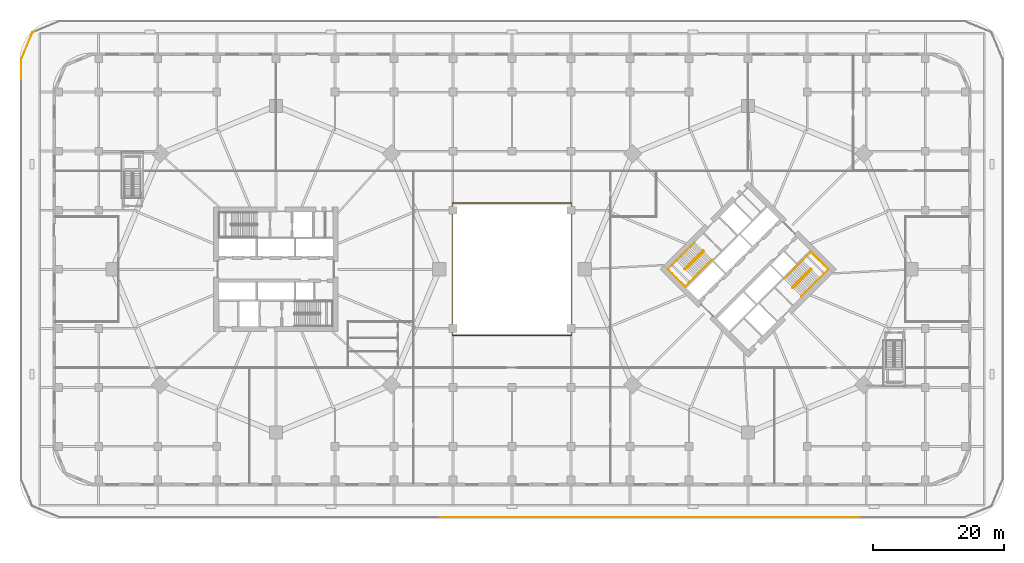
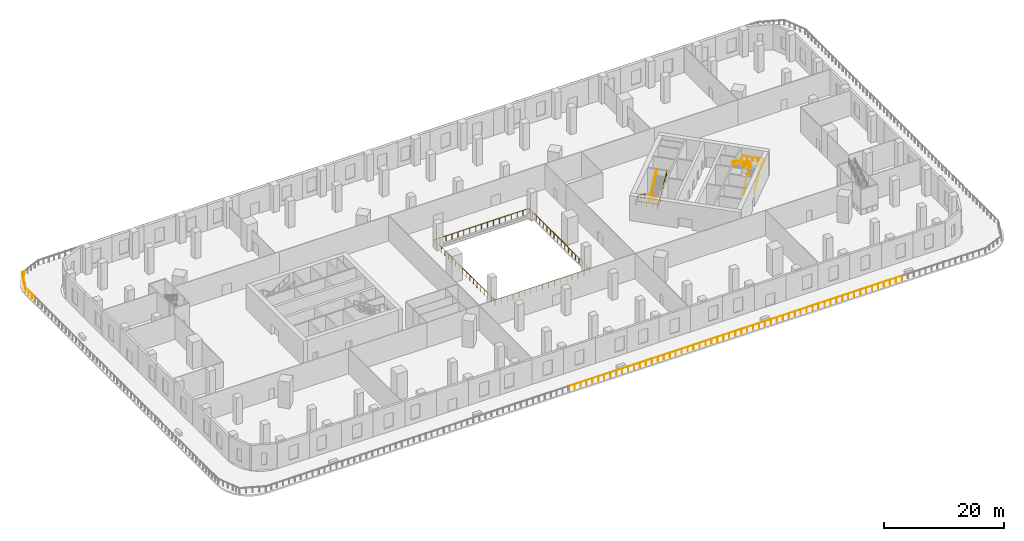
# One storey, part 16 of 20: 14 railings.
"""IFC4 building model written with IfcOpenShell, lengths in metres."""

from ifc_helpers import new_model, si_unit, direction, frame, origin, origin_2d, place, context, subcontext, project, spatial, circle, extrude, material, type_object, element, save


model = new_model("IFC4")

# Units and contexts
model_context = context("Model", 3, precision=1e-05, world=origin(), true_north=direction((0.0, 1.0)))
body_context = subcontext(model_context, "Body", "Model", "MODEL_VIEW")
ifc_project = project(units=[si_unit("LENGTHUNIT", "METRE"), si_unit("AREAUNIT", "SQUARE_METRE"), si_unit("VOLUMEUNIT", "CUBIC_METRE"), si_unit("PLANEANGLEUNIT", "RADIAN"), si_unit("MASSUNIT", "GRAM", prefix="KILO")], contexts=[model_context])

# Site, building, storey
site_placement = place(None, origin())
site = spatial("IfcSite", under=ifc_project, at=site_placement, CompositionType="ELEMENT")
building_placement = place(site_placement, origin())
building = spatial("IfcBuilding", under=site, at=building_placement, Name="Ogive Gate Towers", CompositionType="ELEMENT")
storey_placement = place(building_placement, frame((0.0, 0.0, 7.199951171875)))
storey = spatial("IfcBuildingStorey", under=building, at=storey_placement, Name="L01", CompositionType="ELEMENT", Elevation=7.199951171875)

# Railings
ifc_material_1 = material(Name="Stainless steel", Category="steel")
railing_type_1 = type_object("IfcRailingType", Name="Guard 1100", PredefinedType="GUARDRAIL", material=ifc_material_1)
railing_1_placement = place(storey_placement, frame((-72.69140625, 36.27099609375, 0.0)))
element("IfcRailing", 1, at=railing_1_placement, inside=storey, type_object=railing_type_1, Name="Terrace guard", PredefinedType="GUARDRAIL", context=body_context, shape_type="SweptSolid", body=[
    extrude(circle(Radius=0.02392578125, at=origin_2d()), frame((0.0, 0.0, 1.076171875), z_axis=(-0.923969895502, -0.382465203915, 0.0), x_axis=(0.382465203915, -0.923969895502, 0.0)), (0.0, 0.0, 1.0), 0.443603515625),
    extrude(circle(Radius=0.02392578125, at=origin_2d()), frame((-0.409912109375, -0.169677734375, 1.076171875), z_axis=(-0.382665892976, -0.923886797369, 0.0), x_axis=(0.923886797369, -0.382665892976, 0.0)), (0.0, 0.0, 1.0), 4.439208984375),
    extrude(circle(Radius=0.02392578125, at=origin_2d()), frame((-2.108642578125, -4.27099609375, 1.076171875), z_axis=(0.0, -1.0, 0.0), x_axis=(1.0, 0.0, 0.0)), (0.0, 0.0, 1.0), 3.05859375),
    extrude(circle(Radius=0.02099609375, at=origin_2d()), origin(), (0.0, 0.0, 1.0), 1.052001953125),
    extrude(circle(Radius=0.02099609375, at=origin_2d()), frame((-0.409912109375, -0.169677734375, 0.0)), (0.0, 0.0, 1.0), 1.052001953125),
    extrude(circle(Radius=0.02099609375, at=origin_2d()), frame((-0.83447265625, -1.195068359375, 0.0)), (0.0, 0.0, 1.0), 1.052001953125),
    extrude(circle(Radius=0.02099609375, at=origin_2d()), frame((-1.25927734375, -2.22021484375, 0.0)), (0.0, 0.0, 1.0), 1.052001953125),
    extrude(circle(Radius=0.02099609375, at=origin_2d()), frame((-1.68408203125, -3.24560546875, 0.0)), (0.0, 0.0, 1.0), 1.052001953125),
    extrude(circle(Radius=0.02099609375, at=origin_2d()), frame((-2.108642578125, -4.27099609375, 0.0)), (0.0, 0.0, 1.0), 1.052001953125),
    extrude(circle(Radius=0.02099609375, at=origin_2d()), frame((-2.108642578125, -5.29052734375, 0.0)), (0.0, 0.0, 1.0), 1.052001953125),
    extrude(circle(Radius=0.02099609375, at=origin_2d()), frame((-2.108642578125, -6.31005859375, 0.0)), (0.0, 0.0, 1.0), 1.052001953125),
    extrude(circle(Radius=0.02099609375, at=origin_2d()), frame((-2.108642578125, -7.32958984375, 0.0)), (0.0, 0.0, 1.0), 1.052001953125),
])
for number, where, name in (
    (2, (-10.911376953125, -37.800048828125, 0.0), "Terrace guard"),
    (3, (-2.92041015625, -37.800048828125, 0.0), "Terrace guard"),
    (4, (5.07080078125, -37.800048828125, 0.0), "Terrace guard"),
    (5, (13.06201171875, -37.800048828125, 0.0), "Terrace guard"),
):
    element("IfcRailing", number, at=place(storey_placement, frame(where)), inside=storey, type_object=railing_type_1, Name=name, PredefinedType="GUARDRAIL", context=body_context, shape_type="SweptSolid", body=[
        extrude(circle(Radius=0.02392578125, at=origin_2d()), frame((0.0, 0.0, 1.076171875), z_axis=(1.0, 0.0, 0.0), x_axis=(0.0, 1.0, 0.0)), (0.0, 0.0, 1.0), 7.941162109375),
        extrude(circle(Radius=0.02099609375, at=origin_2d()), origin(), (0.0, 0.0, 1.0), 1.052001953125),
        extrude(circle(Radius=0.02099609375, at=origin_2d()), frame((1.134521484375, 0.0, 0.0)), (0.0, 0.0, 1.0), 1.052001953125),
        extrude(circle(Radius=0.02099609375, at=origin_2d()), frame((2.268798828125, 0.0, 0.0)), (0.0, 0.0, 1.0), 1.052001953125),
        extrude(circle(Radius=0.02099609375, at=origin_2d()), frame((3.4033203125, 0.0, 0.0)), (0.0, 0.0, 1.0), 1.052001953125),
        extrude(circle(Radius=0.02099609375, at=origin_2d()), frame((4.537841796875, 0.0, 0.0)), (0.0, 0.0, 1.0), 1.052001953125),
        extrude(circle(Radius=0.02099609375, at=origin_2d()), frame((5.67236328125, 0.0, 0.0)), (0.0, 0.0, 1.0), 1.052001953125),
        extrude(circle(Radius=0.02099609375, at=origin_2d()), frame((6.806640625, 0.0, 0.0)), (0.0, 0.0, 1.0), 1.052001953125),
        extrude(circle(Radius=0.02099609375, at=origin_2d()), frame((7.941162109375, 0.0, 0.0)), (0.0, 0.0, 1.0), 1.052001953125),
    ])
railing_2_placement = place(storey_placement, frame((21.052978515625, -37.800048828125, 0.0)))
element("IfcRailing", 6, at=railing_2_placement, inside=storey, type_object=railing_type_1, Name="Terrace guard", PredefinedType="GUARDRAIL", context=body_context, shape_type="SweptSolid", body=[
    extrude(circle(Radius=0.02392578125, at=origin_2d()), frame((0.0, 0.0, 1.076171875), z_axis=(1.0, 0.0, 0.0), x_axis=(0.0, 1.0, 0.0)), (0.0, 0.0, 1.0), 7.94140625),
    extrude(circle(Radius=0.02099609375, at=origin_2d()), origin(), (0.0, 0.0, 1.0), 1.052001953125),
    extrude(circle(Radius=0.02099609375, at=origin_2d()), frame((1.134521484375, 0.0, 0.0)), (0.0, 0.0, 1.0), 1.052001953125),
    extrude(circle(Radius=0.02099609375, at=origin_2d()), frame((2.26904296875, 0.0, 0.0)), (0.0, 0.0, 1.0), 1.052001953125),
    extrude(circle(Radius=0.02099609375, at=origin_2d()), frame((3.403564453125, 0.0, 0.0)), (0.0, 0.0, 1.0), 1.052001953125),
    extrude(circle(Radius=0.02099609375, at=origin_2d()), frame((4.537841796875, 0.0, 0.0)), (0.0, 0.0, 1.0), 1.052001953125),
    extrude(circle(Radius=0.02099609375, at=origin_2d()), frame((5.67236328125, 0.0, 0.0)), (0.0, 0.0, 1.0), 1.052001953125),
    extrude(circle(Radius=0.02099609375, at=origin_2d()), frame((6.806884765625, 0.0, 0.0)), (0.0, 0.0, 1.0), 1.052001953125),
    extrude(circle(Radius=0.02099609375, at=origin_2d()), frame((7.94140625, 0.0, 0.0)), (0.0, 0.0, 1.0), 1.052001953125),
])
for number, where, name in (
    (7, (29.044189453125, -37.800048828125, 0.0), "Terrace guard"),
    (8, (37.035400390625, -37.800048828125, 0.0), "Terrace guard"),
    (9, (45.026611328125, -37.800048828125, 0.0), "Terrace guard"),
):
    element("IfcRailing", number, at=place(storey_placement, frame(where)), inside=storey, type_object=railing_type_1, Name=name, PredefinedType="GUARDRAIL", context=body_context, shape_type="SweptSolid", body=[
        extrude(circle(Radius=0.02392578125, at=origin_2d()), frame((0.0, 0.0, 1.076171875), z_axis=(1.0, 0.0, 0.0), x_axis=(0.0, 1.0, 0.0)), (0.0, 0.0, 1.0), 7.941162109375),
        extrude(circle(Radius=0.02099609375, at=origin_2d()), origin(), (0.0, 0.0, 1.0), 1.052001953125),
        extrude(circle(Radius=0.02099609375, at=origin_2d()), frame((1.134521484375, 0.0, 0.0)), (0.0, 0.0, 1.0), 1.052001953125),
        extrude(circle(Radius=0.02099609375, at=origin_2d()), frame((2.268798828125, 0.0, 0.0)), (0.0, 0.0, 1.0), 1.052001953125),
        extrude(circle(Radius=0.02099609375, at=origin_2d()), frame((3.4033203125, 0.0, 0.0)), (0.0, 0.0, 1.0), 1.052001953125),
        extrude(circle(Radius=0.02099609375, at=origin_2d()), frame((4.537841796875, 0.0, 0.0)), (0.0, 0.0, 1.0), 1.052001953125),
        extrude(circle(Radius=0.02099609375, at=origin_2d()), frame((5.67236328125, 0.0, 0.0)), (0.0, 0.0, 1.0), 1.052001953125),
        extrude(circle(Radius=0.02099609375, at=origin_2d()), frame((6.806640625, 0.0, 0.0)), (0.0, 0.0, 1.0), 1.052001953125),
        extrude(circle(Radius=0.02099609375, at=origin_2d()), frame((7.941162109375, 0.0, 0.0)), (0.0, 0.0, 1.0), 1.052001953125),
    ])
railing_type_2 = type_object("IfcRailingType", Name="Stair guard 1100", PredefinedType="GUARDRAIL", material=ifc_material_1)
railing_3_placement = place(storey_placement, frame((29.15869140625, 2.8603515625, 0.0)))
element("IfcRailing", 10, at=railing_3_placement, inside=storey, type_object=railing_type_2, Name="L01 ST1 stair guard 1", PredefinedType="GUARDRAIL", context=body_context, shape_type="SweptSolid", body=[
    extrude(circle(Radius=0.02392578125, at=origin_2d()), frame((0.0, 0.0, 1.076171875), z_axis=(0.707106781187, -0.707106781187, 0.0), x_axis=(0.707106781187, 0.707106781187, 0.0)), (0.0, 0.0, 1.0), 0.14501953125),
    extrude(circle(Radius=0.02392578125, at=origin_2d()), frame((0.1025390625, -0.1025390625, 1.076171875), z_axis=(-0.641307342375, 0.379899977147, 0.666634007518), x_axis=(-0.509669330572, -0.860370369942, 0.0)), (0.0, 0.0, 1.0), 0.27001953125),
    extrude(circle(Radius=0.02392578125, at=origin_2d()), frame((-0.070556640625, 0.0, 1.255859375), z_axis=(-0.594808813858, -0.594808813858, 0.540744810344), x_axis=(0.707106781187, -0.707106781187, 0.0)), (0.0, 0.0, 1.0), 4.66015625),
    extrude(circle(Radius=0.02392578125, at=origin_2d()), frame((-2.842529296875, -2.77197265625, 3.77587890625), z_axis=(0.0, -1.0, 0.0), x_axis=(1.0, 0.0, 0.0)), (0.0, 0.0, 1.0), 0.07080078125),
    extrude(circle(Radius=0.02392578125, at=origin_2d()), frame((-2.842529296875, -2.8427734375, 3.77587890625), z_axis=(0.707106781187, -0.707106781187, 0.0), x_axis=(0.707106781187, 0.707106781187, 0.0)), (0.0, 0.0, 1.0), 0.14501953125),
    extrude(circle(Radius=0.02392578125, at=origin_2d()), frame((-2.739990234375, -2.9453125, 3.77587890625), z_axis=(0.365730408489, 0.0, 0.930720832638), x_axis=(0.0, 1.0, 0.0)), (0.0, 0.0, 1.0), 0.193603515625),
    extrude(circle(Radius=0.02392578125, at=origin_2d()), frame((-2.669189453125, -2.9453125, 3.9560546875), z_axis=(0.594774959279, 0.594827348511, 0.540761660325), x_axis=(-0.707137920976, 0.707075640025, 0.0)), (0.0, 0.0, 1.0), 4.66015625),
    extrude(circle(Radius=0.02099609375, at=origin_2d()), origin(), (0.0, 0.0, 1.0), 1.052001953125),
    extrude(circle(Radius=0.02099609375, at=origin_2d()), frame((0.1025390625, -0.1025390625, 0.0)), (0.0, 0.0, 1.0), 1.052001953125),
    extrude(circle(Radius=0.02099609375, at=origin_2d()), frame((-0.070556640625, 0.0, 0.179931640625)), (0.0, 0.0, 1.0), 1.052001953125),
    extrude(circle(Radius=0.02099609375, at=origin_2d()), frame((-0.763671875, -0.69287109375, 0.81005859375)), (0.0, 0.0, 1.0), 1.052001953125),
    extrude(circle(Radius=0.02099609375, at=origin_2d()), frame((-1.45654296875, -1.385986328125, 1.43994140625)), (0.0, 0.0, 1.0), 1.052001953125),
    extrude(circle(Radius=0.02099609375, at=origin_2d()), frame((-2.1494140625, -2.0791015625, 2.06982421875)), (0.0, 0.0, 1.0), 1.052001953125),
    extrude(circle(Radius=0.02099609375, at=origin_2d()), frame((-2.842529296875, -2.77197265625, 2.699951171875)), (0.0, 0.0, 1.0), 1.052001953125),
    extrude(circle(Radius=0.02099609375, at=origin_2d()), frame((-2.842529296875, -2.8427734375, 2.699951171875)), (0.0, 0.0, 1.0), 1.052001953125),
    extrude(circle(Radius=0.02099609375, at=origin_2d()), frame((-2.739990234375, -2.9453125, 2.699951171875)), (0.0, 0.0, 1.0), 1.052001953125),
    extrude(circle(Radius=0.02099609375, at=origin_2d()), frame((-2.669189453125, -2.9453125, 2.880126953125)), (0.0, 0.0, 1.0), 1.052001953125),
    extrude(circle(Radius=0.02099609375, at=origin_2d()), frame((-1.976318359375, -2.25244140625, 3.51025390625)), (0.0, 0.0, 1.0), 1.052001953125),
    extrude(circle(Radius=0.02099609375, at=origin_2d()), frame((-1.283203125, -1.559326171875, 4.14013671875)), (0.0, 0.0, 1.0), 1.052001953125),
    extrude(circle(Radius=0.02099609375, at=origin_2d()), frame((-0.59033203125, -0.8662109375, 4.77001953125)), (0.0, 0.0, 1.0), 1.052001953125),
    extrude(circle(Radius=0.02099609375, at=origin_2d()), frame((0.1025390625, -0.17333984375, 5.400146484375)), (0.0, 0.0, 1.0), 1.052001953125),
])
railing_4_placement = place(storey_placement, frame((42.84130859375, -2.8603515625, 0.0)))
element("IfcRailing", 11, at=railing_4_placement, inside=storey, type_object=railing_type_2, Name="L01 ST2 stair guard 1", PredefinedType="GUARDRAIL", context=body_context, shape_type="SweptSolid", body=[
    extrude(circle(Radius=0.02392578125, at=origin_2d()), frame((0.0, 0.0, 1.076171875), z_axis=(-0.707106781187, 0.707106781187, 0.0), x_axis=(-0.707106781187, -0.707106781187, 0.0)), (0.0, 0.0, 1.0), 0.14501953125),
    extrude(circle(Radius=0.02392578125, at=origin_2d()), frame((-0.1025390625, 0.1025390625, 1.076171875), z_axis=(0.641307342375, -0.379899977147, 0.666634007518), x_axis=(0.509669330572, 0.860370369942, 0.0)), (0.0, 0.0, 1.0), 0.27001953125),
    extrude(circle(Radius=0.02392578125, at=origin_2d()), frame((0.070556640625, 0.0, 1.255859375), z_axis=(0.594808813858, 0.594808813858, 0.540744810344), x_axis=(-0.707106781187, 0.707106781187, 0.0)), (0.0, 0.0, 1.0), 4.66015625),
    extrude(circle(Radius=0.02392578125, at=origin_2d()), frame((2.842529296875, 2.77197265625, 3.77587890625), z_axis=(0.0, 1.0, 0.0), x_axis=(-1.0, 0.0, 0.0)), (0.0, 0.0, 1.0), 0.07080078125),
    extrude(circle(Radius=0.02392578125, at=origin_2d()), frame((2.842529296875, 2.8427734375, 3.77587890625), z_axis=(-0.707106781187, 0.707106781187, 0.0), x_axis=(-0.707106781187, -0.707106781187, 0.0)), (0.0, 0.0, 1.0), 0.14501953125),
    extrude(circle(Radius=0.02392578125, at=origin_2d()), frame((2.739990234375, 2.9453125, 3.77587890625), z_axis=(-0.365730408489, 0.0, 0.930720832638), x_axis=(0.0, -1.0, 0.0)), (0.0, 0.0, 1.0), 0.193603515625),
    extrude(circle(Radius=0.02392578125, at=origin_2d()), frame((2.669189453125, 2.9453125, 3.9560546875), z_axis=(-0.594774959279, -0.594827348511, 0.540761660325), x_axis=(0.707137920976, -0.707075640025, 0.0)), (0.0, 0.0, 1.0), 4.66015625),
    extrude(circle(Radius=0.02099609375, at=origin_2d()), origin(), (0.0, 0.0, 1.0), 1.052001953125),
    extrude(circle(Radius=0.02099609375, at=origin_2d()), frame((-0.1025390625, 0.1025390625, 0.0)), (0.0, 0.0, 1.0), 1.052001953125),
    extrude(circle(Radius=0.02099609375, at=origin_2d()), frame((0.070556640625, 0.0, 0.179931640625)), (0.0, 0.0, 1.0), 1.052001953125),
    extrude(circle(Radius=0.02099609375, at=origin_2d()), frame((0.763671875, 0.69287109375, 0.81005859375)), (0.0, 0.0, 1.0), 1.052001953125),
    extrude(circle(Radius=0.02099609375, at=origin_2d()), frame((1.45654296875, 1.385986328125, 1.43994140625)), (0.0, 0.0, 1.0), 1.052001953125),
    extrude(circle(Radius=0.02099609375, at=origin_2d()), frame((2.1494140625, 2.0791015625, 2.06982421875)), (0.0, 0.0, 1.0), 1.052001953125),
    extrude(circle(Radius=0.02099609375, at=origin_2d()), frame((2.842529296875, 2.77197265625, 2.699951171875)), (0.0, 0.0, 1.0), 1.052001953125),
    extrude(circle(Radius=0.02099609375, at=origin_2d()), frame((2.842529296875, 2.8427734375, 2.699951171875)), (0.0, 0.0, 1.0), 1.052001953125),
    extrude(circle(Radius=0.02099609375, at=origin_2d()), frame((2.739990234375, 2.9453125, 2.699951171875)), (0.0, 0.0, 1.0), 1.052001953125),
    extrude(circle(Radius=0.02099609375, at=origin_2d()), frame((2.669189453125, 2.9453125, 2.880126953125)), (0.0, 0.0, 1.0), 1.052001953125),
    extrude(circle(Radius=0.02099609375, at=origin_2d()), frame((1.976318359375, 2.25244140625, 3.51025390625)), (0.0, 0.0, 1.0), 1.052001953125),
    extrude(circle(Radius=0.02099609375, at=origin_2d()), frame((1.283203125, 1.559326171875, 4.14013671875)), (0.0, 0.0, 1.0), 1.052001953125),
    extrude(circle(Radius=0.02099609375, at=origin_2d()), frame((0.59033203125, 0.8662109375, 4.77001953125)), (0.0, 0.0, 1.0), 1.052001953125),
    extrude(circle(Radius=0.02099609375, at=origin_2d()), frame((-0.1025390625, 0.17333984375, 5.400146484375)), (0.0, 0.0, 1.0), 1.052001953125),
])
railing_type_3 = type_object("IfcRailingType", Name="Stair handrail 900", PredefinedType="HANDRAIL", material=ifc_material_1)
railing_5_placement = place(storey_placement, frame((27.857666015625, 4.090576171875, 0.179931640625)))
element("IfcRailing", 12, at=railing_5_placement, inside=storey, type_object=railing_type_3, Name="L01 ST1 stair handrail 1", PredefinedType="HANDRAIL", context=body_context, shape_type="SweptSolid", body=[
    extrude(circle(Radius=0.02392578125, at=origin_2d()), frame((0.0, 0.0, 0.8759765625), z_axis=(-0.594827348511, -0.594774959279, 0.540761660325), x_axis=(0.707075640025, -0.707137920976, 0.0)), (0.0, 0.0, 1.0), 4.66015625),
    extrude(circle(Radius=0.02392578125, at=origin_2d()), frame((-2.77197265625, -2.771728515625, 3.39599609375), z_axis=(-0.707041323489, -0.707172232825, 0.0), x_axis=(0.707172232825, -0.707041323489, 0.0)), (0.0, 0.0, 1.0), 1.864990234375),
    extrude(circle(Radius=0.02392578125, at=origin_2d()), frame((-4.090576171875, -4.090576171875, 3.39599609375), z_axis=(0.707106781187, -0.707106781187, 0.0), x_axis=(0.707106781187, 0.707106781187, 0.0)), (0.0, 0.0, 1.0), 3.72509765625),
    extrude(circle(Radius=0.02392578125, at=origin_2d()), frame((-1.45654296875, -6.724609375, 3.39599609375), z_axis=(0.703764587039, 0.703894889684, 0.0961633522), x_axis=(-0.707172232825, 0.707041323489, 0.0)), (0.0, 0.0, 1.0), 1.87353515625),
    extrude(circle(Radius=0.02392578125, at=origin_2d()), frame((-0.137939453125, -5.40576171875, 3.576171875), z_axis=(0.594827348511, 0.594774959279, 0.540761660325), x_axis=(-0.707075640025, 0.707137920976, 0.0)), (0.0, 0.0, 1.0), 4.66015625),
    extrude(circle(Radius=0.02099609375, at=origin_2d()), origin(), (0.0, 0.0, 1.0), 0.851806640625),
    extrude(circle(Radius=0.02099609375, at=origin_2d()), frame((-0.69287109375, -0.69287109375, 0.6298828125)), (0.0, 0.0, 1.0), 0.851806640625),
    extrude(circle(Radius=0.02099609375, at=origin_2d()), frame((-1.385986328125, -1.3857421875, 1.260009765625)), (0.0, 0.0, 1.0), 0.851806640625),
    extrude(circle(Radius=0.02099609375, at=origin_2d()), frame((-2.0791015625, -2.078857421875, 1.89013671875)), (0.0, 0.0, 1.0), 0.851806640625),
    extrude(circle(Radius=0.02099609375, at=origin_2d()), frame((-2.77197265625, -2.771728515625, 2.52001953125)), (0.0, 0.0, 1.0), 0.851806640625),
    extrude(circle(Radius=0.02099609375, at=origin_2d()), frame((-3.43115234375, -3.43115234375, 2.52001953125)), (0.0, 0.0, 1.0), 0.851806640625),
    extrude(circle(Radius=0.02099609375, at=origin_2d()), frame((-4.090576171875, -4.090576171875, 2.52001953125)), (0.0, 0.0, 1.0), 0.851806640625),
    extrude(circle(Radius=0.02099609375, at=origin_2d()), frame((-3.43212890625, -4.7490234375, 2.52001953125)), (0.0, 0.0, 1.0), 0.851806640625),
    extrude(circle(Radius=0.02099609375, at=origin_2d()), frame((-2.7734375, -5.40771484375, 2.52001953125)), (0.0, 0.0, 1.0), 0.851806640625),
    extrude(circle(Radius=0.02099609375, at=origin_2d()), frame((-2.114990234375, -6.066162109375, 2.52001953125)), (0.0, 0.0, 1.0), 0.851806640625),
    extrude(circle(Radius=0.02099609375, at=origin_2d()), frame((-1.45654296875, -6.724609375, 2.52001953125)), (0.0, 0.0, 1.0), 0.851806640625),
    extrude(circle(Radius=0.02099609375, at=origin_2d()), frame((-0.79736328125, -6.065185546875, 2.610107421875)), (0.0, 0.0, 1.0), 0.851806640625),
    extrude(circle(Radius=0.02099609375, at=origin_2d()), frame((-0.137939453125, -5.40576171875, 2.7001953125)), (0.0, 0.0, 1.0), 0.851806640625),
    extrude(circle(Radius=0.02099609375, at=origin_2d()), frame((0.55517578125, -4.712890625, 3.330078125)), (0.0, 0.0, 1.0), 0.851806640625),
    extrude(circle(Radius=0.02099609375, at=origin_2d()), frame((1.248046875, -4.02001953125, 3.960205078125)), (0.0, 0.0, 1.0), 0.851806640625),
    extrude(circle(Radius=0.02099609375, at=origin_2d()), frame((1.94091796875, -3.326904296875, 4.59033203125)), (0.0, 0.0, 1.0), 0.851806640625),
    extrude(circle(Radius=0.02099609375, at=origin_2d()), frame((2.634033203125, -2.634033203125, 5.22021484375)), (0.0, 0.0, 1.0), 0.851806640625),
])
railing_6_placement = place(storey_placement, frame((44.142333984375, -4.090576171875, 0.179931640625)))
element("IfcRailing", 13, at=railing_6_placement, inside=storey, type_object=railing_type_3, Name="L01 ST2 stair handrail 1", PredefinedType="HANDRAIL", context=body_context, shape_type="SweptSolid", body=[
    extrude(circle(Radius=0.02392578125, at=origin_2d()), frame((0.0, 0.0, 0.8759765625), z_axis=(0.594827348511, 0.594774959279, 0.540761660325), x_axis=(-0.707075640025, 0.707137920976, 0.0)), (0.0, 0.0, 1.0), 4.66015625),
    extrude(circle(Radius=0.02392578125, at=origin_2d()), frame((2.77197265625, 2.771728515625, 3.39599609375), z_axis=(0.707041323489, 0.707172232825, 0.0), x_axis=(-0.707172232825, 0.707041323489, 0.0)), (0.0, 0.0, 1.0), 1.864990234375),
    extrude(circle(Radius=0.02392578125, at=origin_2d()), frame((4.090576171875, 4.090576171875, 3.39599609375), z_axis=(-0.707106781187, 0.707106781187, 0.0), x_axis=(-0.707106781187, -0.707106781187, 0.0)), (0.0, 0.0, 1.0), 3.72509765625),
    extrude(circle(Radius=0.02392578125, at=origin_2d()), frame((1.45654296875, 6.724609375, 3.39599609375), z_axis=(-0.703764587039, -0.703894889684, 0.0961633522), x_axis=(0.707172232825, -0.707041323489, 0.0)), (0.0, 0.0, 1.0), 1.87353515625),
    extrude(circle(Radius=0.02392578125, at=origin_2d()), frame((0.137939453125, 5.40576171875, 3.576171875), z_axis=(-0.594827348511, -0.594774959279, 0.540761660325), x_axis=(0.707075640025, -0.707137920976, 0.0)), (0.0, 0.0, 1.0), 4.66015625),
    extrude(circle(Radius=0.02099609375, at=origin_2d()), origin(), (0.0, 0.0, 1.0), 0.851806640625),
    extrude(circle(Radius=0.02099609375, at=origin_2d()), frame((0.69287109375, 0.69287109375, 0.6298828125)), (0.0, 0.0, 1.0), 0.851806640625),
    extrude(circle(Radius=0.02099609375, at=origin_2d()), frame((1.385986328125, 1.3857421875, 1.260009765625)), (0.0, 0.0, 1.0), 0.851806640625),
    extrude(circle(Radius=0.02099609375, at=origin_2d()), frame((2.0791015625, 2.078857421875, 1.89013671875)), (0.0, 0.0, 1.0), 0.851806640625),
    extrude(circle(Radius=0.02099609375, at=origin_2d()), frame((2.77197265625, 2.771728515625, 2.52001953125)), (0.0, 0.0, 1.0), 0.851806640625),
    extrude(circle(Radius=0.02099609375, at=origin_2d()), frame((3.43115234375, 3.43115234375, 2.52001953125)), (0.0, 0.0, 1.0), 0.851806640625),
    extrude(circle(Radius=0.02099609375, at=origin_2d()), frame((4.090576171875, 4.090576171875, 2.52001953125)), (0.0, 0.0, 1.0), 0.851806640625),
    extrude(circle(Radius=0.02099609375, at=origin_2d()), frame((3.43212890625, 4.7490234375, 2.52001953125)), (0.0, 0.0, 1.0), 0.851806640625),
    extrude(circle(Radius=0.02099609375, at=origin_2d()), frame((2.7734375, 5.40771484375, 2.52001953125)), (0.0, 0.0, 1.0), 0.851806640625),
    extrude(circle(Radius=0.02099609375, at=origin_2d()), frame((2.114990234375, 6.066162109375, 2.52001953125)), (0.0, 0.0, 1.0), 0.851806640625),
    extrude(circle(Radius=0.02099609375, at=origin_2d()), frame((1.45654296875, 6.724609375, 2.52001953125)), (0.0, 0.0, 1.0), 0.851806640625),
    extrude(circle(Radius=0.02099609375, at=origin_2d()), frame((0.79736328125, 6.065185546875, 2.610107421875)), (0.0, 0.0, 1.0), 0.851806640625),
    extrude(circle(Radius=0.02099609375, at=origin_2d()), frame((0.137939453125, 5.40576171875, 2.7001953125)), (0.0, 0.0, 1.0), 0.851806640625),
    extrude(circle(Radius=0.02099609375, at=origin_2d()), frame((-0.55517578125, 4.712890625, 3.330078125)), (0.0, 0.0, 1.0), 0.851806640625),
    extrude(circle(Radius=0.02099609375, at=origin_2d()), frame((-1.248046875, 4.02001953125, 3.960205078125)), (0.0, 0.0, 1.0), 0.851806640625),
    extrude(circle(Radius=0.02099609375, at=origin_2d()), frame((-1.94091796875, 3.326904296875, 4.59033203125)), (0.0, 0.0, 1.0), 0.851806640625),
    extrude(circle(Radius=0.02099609375, at=origin_2d()), frame((-2.634033203125, 2.634033203125, 5.22021484375)), (0.0, 0.0, 1.0), 0.851806640625),
])
ifc_material_2 = material(Name="Steel and glass guard", Category="steel")
railing_type_4 = type_object("IfcRailingType", Name="Void guard 1100", PredefinedType="GUARDRAIL", material=ifc_material_2)
railing_7_placement = place(storey_placement, frame((-9.10009765625, -10.10009765625, 0.0)))
element("IfcRailing", 14, at=railing_7_placement, inside=storey, type_object=railing_type_4, Name="L01 nave guard", PredefinedType="GUARDRAIL", context=body_context, shape_type="SweptSolid", body=[
    extrude(circle(Radius=0.02392578125, at=origin_2d()), frame((0.0, 0.0, 1.076171875), z_axis=(0.0, 1.0, 0.0), x_axis=(-1.0, 0.0, 0.0)), (0.0, 0.0, 1.0), 20.2001953125),
    extrude(circle(Radius=0.02392578125, at=origin_2d()), frame((0.0, 20.2001953125, 1.076171875), z_axis=(1.0, 0.0, 0.0), x_axis=(0.0, 1.0, 0.0)), (0.0, 0.0, 1.0), 18.2001953125),
    extrude(circle(Radius=0.02392578125, at=origin_2d()), frame((18.2001953125, 20.2001953125, 1.076171875), z_axis=(0.0, -1.0, 0.0), x_axis=(1.0, 0.0, 0.0)), (0.0, 0.0, 1.0), 20.2001953125),
    extrude(circle(Radius=0.02392578125, at=origin_2d()), frame((18.2001953125, 0.0, 1.076171875), z_axis=(-1.0, 0.0, 0.0), x_axis=(0.0, -1.0, 0.0)), (0.0, 0.0, 1.0), 18.130126953125),
    extrude(circle(Radius=0.02099609375, at=origin_2d()), origin(), (0.0, 0.0, 1.0), 1.052001953125),
    extrude(circle(Radius=0.02099609375, at=origin_2d()), frame((0.0, 1.188232421875, 0.0)), (0.0, 0.0, 1.0), 1.052001953125),
    extrude(circle(Radius=0.02099609375, at=origin_2d()), frame((0.0, 2.37646484375, 0.0)), (0.0, 0.0, 1.0), 1.052001953125),
    extrude(circle(Radius=0.02099609375, at=origin_2d()), frame((0.0, 3.564697265625, 0.0)), (0.0, 0.0, 1.0), 1.052001953125),
    extrude(circle(Radius=0.02099609375, at=origin_2d()), frame((0.0, 4.7529296875, 0.0)), (0.0, 0.0, 1.0), 1.052001953125),
    extrude(circle(Radius=0.02099609375, at=origin_2d()), frame((0.0, 5.941162109375, 0.0)), (0.0, 0.0, 1.0), 1.052001953125),
    extrude(circle(Radius=0.02099609375, at=origin_2d()), frame((0.0, 7.12939453125, 0.0)), (0.0, 0.0, 1.0), 1.052001953125),
    extrude(circle(Radius=0.02099609375, at=origin_2d()), frame((0.0, 8.317626953125, 0.0)), (0.0, 0.0, 1.0), 1.052001953125),
    extrude(circle(Radius=0.02099609375, at=origin_2d()), frame((0.0, 9.505859375, 0.0)), (0.0, 0.0, 1.0), 1.052001953125),
    extrude(circle(Radius=0.02099609375, at=origin_2d()), frame((0.0, 10.6943359375, 0.0)), (0.0, 0.0, 1.0), 1.052001953125),
    extrude(circle(Radius=0.02099609375, at=origin_2d()), frame((0.0, 11.882568359375, 0.0)), (0.0, 0.0, 1.0), 1.052001953125),
    extrude(circle(Radius=0.02099609375, at=origin_2d()), frame((0.0, 13.07080078125, 0.0)), (0.0, 0.0, 1.0), 1.052001953125),
    extrude(circle(Radius=0.02099609375, at=origin_2d()), frame((0.0, 14.259033203125, 0.0)), (0.0, 0.0, 1.0), 1.052001953125),
    extrude(circle(Radius=0.02099609375, at=origin_2d()), frame((0.0, 15.447265625, 0.0)), (0.0, 0.0, 1.0), 1.052001953125),
    extrude(circle(Radius=0.02099609375, at=origin_2d()), frame((0.0, 16.635498046875, 0.0)), (0.0, 0.0, 1.0), 1.052001953125),
    extrude(circle(Radius=0.02099609375, at=origin_2d()), frame((0.0, 17.82373046875, 0.0)), (0.0, 0.0, 1.0), 1.052001953125),
    extrude(circle(Radius=0.02099609375, at=origin_2d()), frame((0.0, 19.011962890625, 0.0)), (0.0, 0.0, 1.0), 1.052001953125),
    extrude(circle(Radius=0.02099609375, at=origin_2d()), frame((0.0, 20.2001953125, 0.0)), (0.0, 0.0, 1.0), 1.052001953125),
    extrude(circle(Radius=0.02099609375, at=origin_2d()), frame((1.137451171875, 20.2001953125, 0.0)), (0.0, 0.0, 1.0), 1.052001953125),
    extrude(circle(Radius=0.02099609375, at=origin_2d()), frame((2.27490234375, 20.2001953125, 0.0)), (0.0, 0.0, 1.0), 1.052001953125),
    extrude(circle(Radius=0.02099609375, at=origin_2d()), frame((3.41259765625, 20.2001953125, 0.0)), (0.0, 0.0, 1.0), 1.052001953125),
    extrude(circle(Radius=0.02099609375, at=origin_2d()), frame((4.550048828125, 20.2001953125, 0.0)), (0.0, 0.0, 1.0), 1.052001953125),
    extrude(circle(Radius=0.02099609375, at=origin_2d()), frame((5.6875, 20.2001953125, 0.0)), (0.0, 0.0, 1.0), 1.052001953125),
    extrude(circle(Radius=0.02099609375, at=origin_2d()), frame((6.8251953125, 20.2001953125, 0.0)), (0.0, 0.0, 1.0), 1.052001953125),
    extrude(circle(Radius=0.02099609375, at=origin_2d()), frame((7.962646484375, 20.2001953125, 0.0)), (0.0, 0.0, 1.0), 1.052001953125),
    extrude(circle(Radius=0.02099609375, at=origin_2d()), frame((9.10009765625, 20.2001953125, 0.0)), (0.0, 0.0, 1.0), 1.052001953125),
    extrude(circle(Radius=0.02099609375, at=origin_2d()), frame((10.237548828125, 20.2001953125, 0.0)), (0.0, 0.0, 1.0), 1.052001953125),
    extrude(circle(Radius=0.02099609375, at=origin_2d()), frame((11.375, 20.2001953125, 0.0)), (0.0, 0.0, 1.0), 1.052001953125),
    extrude(circle(Radius=0.02099609375, at=origin_2d()), frame((12.5126953125, 20.2001953125, 0.0)), (0.0, 0.0, 1.0), 1.052001953125),
    extrude(circle(Radius=0.02099609375, at=origin_2d()), frame((13.650146484375, 20.2001953125, 0.0)), (0.0, 0.0, 1.0), 1.052001953125),
    extrude(circle(Radius=0.02099609375, at=origin_2d()), frame((14.78759765625, 20.2001953125, 0.0)), (0.0, 0.0, 1.0), 1.052001953125),
    extrude(circle(Radius=0.02099609375, at=origin_2d()), frame((15.92529296875, 20.2001953125, 0.0)), (0.0, 0.0, 1.0), 1.052001953125),
    extrude(circle(Radius=0.02099609375, at=origin_2d()), frame((17.062744140625, 20.2001953125, 0.0)), (0.0, 0.0, 1.0), 1.052001953125),
    extrude(circle(Radius=0.02099609375, at=origin_2d()), frame((18.2001953125, 20.2001953125, 0.0)), (0.0, 0.0, 1.0), 1.052001953125),
    extrude(circle(Radius=0.02099609375, at=origin_2d()), frame((18.2001953125, 19.011962890625, 0.0)), (0.0, 0.0, 1.0), 1.052001953125),
    extrude(circle(Radius=0.02099609375, at=origin_2d()), frame((18.2001953125, 17.82373046875, 0.0)), (0.0, 0.0, 1.0), 1.052001953125),
    extrude(circle(Radius=0.02099609375, at=origin_2d()), frame((18.2001953125, 16.635498046875, 0.0)), (0.0, 0.0, 1.0), 1.052001953125),
    extrude(circle(Radius=0.02099609375, at=origin_2d()), frame((18.2001953125, 15.447265625, 0.0)), (0.0, 0.0, 1.0), 1.052001953125),
    extrude(circle(Radius=0.02099609375, at=origin_2d()), frame((18.2001953125, 14.259033203125, 0.0)), (0.0, 0.0, 1.0), 1.052001953125),
    extrude(circle(Radius=0.02099609375, at=origin_2d()), frame((18.2001953125, 13.07080078125, 0.0)), (0.0, 0.0, 1.0), 1.052001953125),
    extrude(circle(Radius=0.02099609375, at=origin_2d()), frame((18.2001953125, 11.882568359375, 0.0)), (0.0, 0.0, 1.0), 1.052001953125),
    extrude(circle(Radius=0.02099609375, at=origin_2d()), frame((18.2001953125, 10.6943359375, 0.0)), (0.0, 0.0, 1.0), 1.052001953125),
    extrude(circle(Radius=0.02099609375, at=origin_2d()), frame((18.2001953125, 9.505859375, 0.0)), (0.0, 0.0, 1.0), 1.052001953125),
    extrude(circle(Radius=0.02099609375, at=origin_2d()), frame((18.2001953125, 8.317626953125, 0.0)), (0.0, 0.0, 1.0), 1.052001953125),
    extrude(circle(Radius=0.02099609375, at=origin_2d()), frame((18.2001953125, 7.12939453125, 0.0)), (0.0, 0.0, 1.0), 1.052001953125),
    extrude(circle(Radius=0.02099609375, at=origin_2d()), frame((18.2001953125, 5.941162109375, 0.0)), (0.0, 0.0, 1.0), 1.052001953125),
    extrude(circle(Radius=0.02099609375, at=origin_2d()), frame((18.2001953125, 4.7529296875, 0.0)), (0.0, 0.0, 1.0), 1.052001953125),
    extrude(circle(Radius=0.02099609375, at=origin_2d()), frame((18.2001953125, 3.564697265625, 0.0)), (0.0, 0.0, 1.0), 1.052001953125),
    extrude(circle(Radius=0.02099609375, at=origin_2d()), frame((18.2001953125, 2.37646484375, 0.0)), (0.0, 0.0, 1.0), 1.052001953125),
    extrude(circle(Radius=0.02099609375, at=origin_2d()), frame((18.2001953125, 1.188232421875, 0.0)), (0.0, 0.0, 1.0), 1.052001953125),
    extrude(circle(Radius=0.02099609375, at=origin_2d()), frame((18.2001953125, 0.0, 0.0)), (0.0, 0.0, 1.0), 1.052001953125),
    extrude(circle(Radius=0.02099609375, at=origin_2d()), frame((17.067138671875, 0.0, 0.0)), (0.0, 0.0, 1.0), 1.052001953125),
    extrude(circle(Radius=0.02099609375, at=origin_2d()), frame((15.933837890625, 0.0, 0.0)), (0.0, 0.0, 1.0), 1.052001953125),
    extrude(circle(Radius=0.02099609375, at=origin_2d()), frame((14.80078125, 0.0, 0.0)), (0.0, 0.0, 1.0), 1.052001953125),
    extrude(circle(Radius=0.02099609375, at=origin_2d()), frame((13.667724609375, 0.0, 0.0)), (0.0, 0.0, 1.0), 1.052001953125),
    extrude(circle(Radius=0.02099609375, at=origin_2d()), frame((12.534423828125, 0.0, 0.0)), (0.0, 0.0, 1.0), 1.052001953125),
    extrude(circle(Radius=0.02099609375, at=origin_2d()), frame((11.4013671875, 0.0, 0.0)), (0.0, 0.0, 1.0), 1.052001953125),
    extrude(circle(Radius=0.02099609375, at=origin_2d()), frame((10.268310546875, 0.0, 0.0)), (0.0, 0.0, 1.0), 1.052001953125),
    extrude(circle(Radius=0.02099609375, at=origin_2d()), frame((9.13525390625, 0.0, 0.0)), (0.0, 0.0, 1.0), 1.052001953125),
    extrude(circle(Radius=0.02099609375, at=origin_2d()), frame((8.001953125, 0.0, 0.0)), (0.0, 0.0, 1.0), 1.052001953125),
    extrude(circle(Radius=0.02099609375, at=origin_2d()), frame((6.868896484375, 0.0, 0.0)), (0.0, 0.0, 1.0), 1.052001953125),
    extrude(circle(Radius=0.02099609375, at=origin_2d()), frame((5.73583984375, 0.0, 0.0)), (0.0, 0.0, 1.0), 1.052001953125),
    extrude(circle(Radius=0.02099609375, at=origin_2d()), frame((4.6025390625, 0.0, 0.0)), (0.0, 0.0, 1.0), 1.052001953125),
    extrude(circle(Radius=0.02099609375, at=origin_2d()), frame((3.469482421875, 0.0, 0.0)), (0.0, 0.0, 1.0), 1.052001953125),
    extrude(circle(Radius=0.02099609375, at=origin_2d()), frame((2.33642578125, 0.0, 0.0)), (0.0, 0.0, 1.0), 1.052001953125),
    extrude(circle(Radius=0.02099609375, at=origin_2d()), frame((1.203125, 0.0, 0.0)), (0.0, 0.0, 1.0), 1.052001953125),
    extrude(circle(Radius=0.02099609375, at=origin_2d()), frame((0.070068359375, 0.0, 0.0)), (0.0, 0.0, 1.0), 1.052001953125),
])

save(model, "model.ifc")
